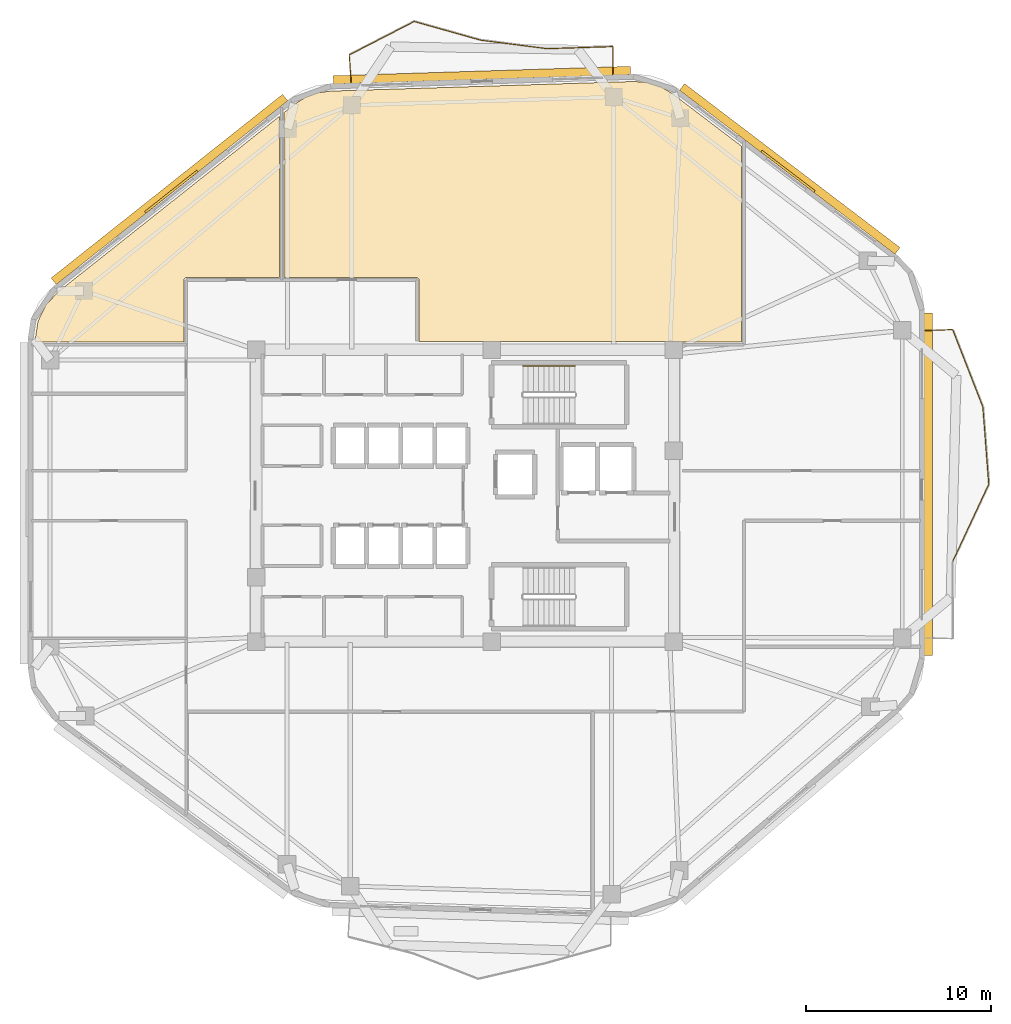
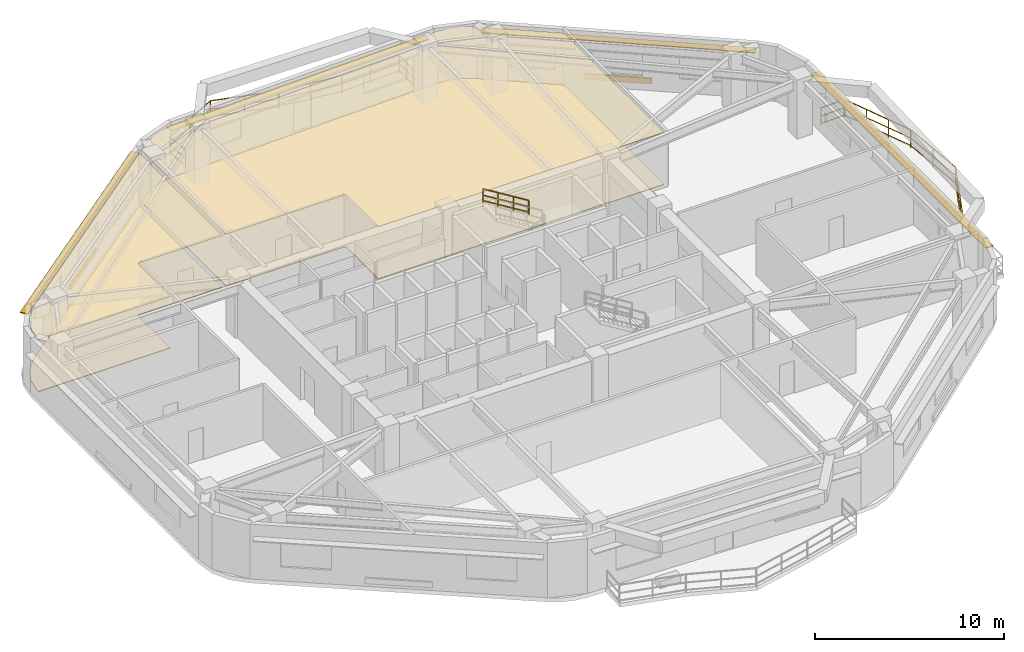
# One storey, part 8 of 8: 11 railings, 6 shading devices, 4 coverings.
"""IFC4 building model written with IfcOpenShell, lengths in metres."""

from ifc_helpers import new_model, si_unit, direction, frame, origin, origin_2d, place, context, subcontext, project, spatial, polyline, rectangle, outline, extrude, material, layer, layer_set, type_object, element, save


model = new_model("IFC4")

# Units and contexts
model_context = context("Model", 3, precision=1e-05, world=origin(), true_north=direction((0.0, 1.0)))
body_context = subcontext(model_context, "Body", "Model", "MODEL_VIEW")
ifc_project = project(units=[si_unit("LENGTHUNIT", "METRE"), si_unit("AREAUNIT", "SQUARE_METRE"), si_unit("VOLUMEUNIT", "CUBIC_METRE"), si_unit("PLANEANGLEUNIT", "RADIAN"), si_unit("MASSUNIT", "GRAM", prefix="KILO")], contexts=[model_context])

# Site, building, storey
site_placement = place(None, origin())
site = spatial("IfcSite", under=ifc_project, at=site_placement, CompositionType="ELEMENT")
building_placement = place(site_placement, origin())
building = spatial("IfcBuilding", under=site, at=building_placement, Name="Zulverin Broadcast Headquarters", CompositionType="ELEMENT")
storey_placement = place(building_placement, frame((0.0, 0.0, 163.0)))
storey = spatial("IfcBuildingStorey", under=building, at=storey_placement, Name="L41", CompositionType="ELEMENT", Elevation=163.0)

# Coverings
ifc_material_1 = material(Name="Perforated pale-metal acoustic baffle ceiling", Category="aluminium")
ifc_layer_1 = layer(ifc_material_1, 0.0400390625, Name="Perforated pale-metal acoustic baffle ceiling", Category="aluminium")
ifc_layer_set_1 = layer_set([ifc_layer_1], Name="Perforated pale-metal acoustic baffle ceiling")
covering_type_1 = type_object("IfcCoveringType", Name="COV-CEIL-ACOU", PredefinedType="CEILING", material=ifc_layer_set_1)
covering_1_placement = place(storey_placement, frame((0.0, 0.0, 3.360107421875)))
element("IfcCovering", 1, at=covering_1_placement, inside=storey, type_object=covering_type_1, Name="L41 Acoustic Baffle Ceiling 01", PredefinedType="CEILING", context=body_context, shape_type="SweptSolid", body=[
    extrude(outline(polyline([(21.951904296875, 36.971923828125), (26.97998046875, 36.971923828125), (26.97998046875, 45.679931640625), (15.031982421875, 36.199951171875), (14.364013671875, 35.47607421875), (13.947998046875, 34.615966796875), (13.800048828125, 33.64404296875), (13.800048828125, 33.5), (21.83203125, 33.5), (21.83203125, 36.85205078125), (21.83203125, 36.864013671875), (21.8359375, 36.8759765625), (21.8359375, 36.887939453125), (21.840087890625, 36.89599609375), (21.847900390625, 36.907958984375), (21.85205078125, 36.919921875), (21.860107421875, 36.927978515625), (21.867919921875, 36.93603515625), (21.8759765625, 36.944091796875), (21.884033203125, 36.951904296875), (21.89599609375, 36.9560546875), (21.907958984375, 36.964111328125), (21.916015625, 36.968017578125), (21.927978515625, 36.968017578125), (21.93994140625, 36.971923828125), (21.951904296875, 36.971923828125)])), origin(), (0.0, 0.0, 1.0), 0.039794921875),
])
covering_2_placement = place(storey_placement, frame((0.0, 0.0, 3.360107421875)))
element("IfcCovering", 2, at=covering_2_placement, inside=storey, type_object=covering_type_1, Name="L41 Acoustic Baffle Ceiling 02", PredefinedType="CEILING", context=body_context, shape_type="SweptSolid", body=[
    extrude(outline(polyline([(29.031982421875, 46.944091796875), (28.39599609375, 46.7080078125), (27.803955078125, 46.33203125), (27.219970703125, 45.867919921875), (27.219970703125, 36.971923828125), (34.360107421875, 36.971923828125), (34.3720703125, 36.971923828125), (34.384033203125, 36.968017578125), (34.39208984375, 36.968017578125), (34.39990234375, 36.964111328125), (34.407958984375, 36.964111328125), (34.419921875, 36.9599609375), (34.427978515625, 36.9560546875), (34.43603515625, 36.951904296875), (34.447998046875, 36.944091796875), (34.4599609375, 36.93603515625), (34.468017578125, 36.927978515625), (34.47607421875, 36.919921875), (34.48388671875, 36.912109375), (34.491943359375, 36.89990234375), (34.5, 36.887939453125), (34.50390625, 36.8798828125), (34.508056640625, 36.8720703125), (34.511962890625, 36.864013671875), (34.51611328125, 36.85205078125), (34.51611328125, 36.843994140625), (34.52001953125, 36.83203125), (34.52001953125, 36.820068359375), (34.52001953125, 33.52001953125), (48.568115234375, 33.52001953125), (48.580078125, 33.52001953125), (48.592041015625, 33.51611328125), (48.60009765625, 33.51611328125), (48.612060546875, 33.511962890625), (48.6201171875, 33.508056640625), (48.635986328125, 33.5), (51.927978515625, 33.5), (51.931884765625, 44.06005859375), (48.2080078125, 46.89208984375), (47.568115234375, 47.27587890625), (46.8759765625, 47.49609375), (46.1279296875, 47.56005859375), (44.10400390625, 47.49609375), (35.7041015625, 47.22802734375), (29.73193359375, 47.0400390625), (29.031982421875, 46.944091796875)])), origin(), (0.0, 0.0, 1.0), 0.039794921875),
])
ifc_material_2 = material(Name="Anti-static broadcast raised access flooring", Category="stone")
ifc_layer_2 = layer(ifc_material_2, 0.050048828125, Name="Anti-static broadcast raised access flooring", Category="stone")
ifc_layer_set_2 = layer_set([ifc_layer_2], Name="Anti-static broadcast raised access flooring")
covering_type_2 = type_object("IfcCoveringType", Name="COV-FLR-RAISED", PredefinedType="FLOORING", material=ifc_layer_set_2)
covering_3_placement = place(storey_placement, origin())
element("IfcCovering", 3, at=covering_3_placement, inside=storey, type_object=covering_type_2, Name="L41 Broadcast Raised Access Flooring 01", PredefinedType="FLOORING", context=body_context, shape_type="SweptSolid", body=[
    extrude(outline(polyline([(21.951904296875, 36.971923828125), (26.97998046875, 36.971923828125), (26.97998046875, 45.679931640625), (15.031982421875, 36.199951171875), (14.364013671875, 35.47607421875), (13.947998046875, 34.615966796875), (13.800048828125, 33.64404296875), (13.800048828125, 33.5), (21.83203125, 33.5), (21.83203125, 36.85205078125), (21.83203125, 36.864013671875), (21.8359375, 36.8759765625), (21.8359375, 36.887939453125), (21.840087890625, 36.89599609375), (21.847900390625, 36.907958984375), (21.85205078125, 36.919921875), (21.860107421875, 36.927978515625), (21.867919921875, 36.93603515625), (21.8759765625, 36.944091796875), (21.884033203125, 36.951904296875), (21.89599609375, 36.9560546875), (21.907958984375, 36.964111328125), (21.916015625, 36.968017578125), (21.927978515625, 36.968017578125), (21.93994140625, 36.971923828125), (21.951904296875, 36.971923828125)])), origin(), (0.0, 0.0, 1.0), 0.050048828125),
])
covering_4_placement = place(storey_placement, origin())
element("IfcCovering", 4, at=covering_4_placement, inside=storey, type_object=covering_type_2, Name="L41 Broadcast Raised Access Flooring 02", PredefinedType="FLOORING", context=body_context, shape_type="SweptSolid", body=[
    extrude(outline(polyline([(29.031982421875, 46.944091796875), (28.39599609375, 46.7080078125), (27.803955078125, 46.33203125), (27.219970703125, 45.867919921875), (27.219970703125, 36.971923828125), (34.360107421875, 36.971923828125), (34.3720703125, 36.971923828125), (34.384033203125, 36.968017578125), (34.39208984375, 36.968017578125), (34.39990234375, 36.964111328125), (34.407958984375, 36.964111328125), (34.419921875, 36.9599609375), (34.427978515625, 36.9560546875), (34.43603515625, 36.951904296875), (34.447998046875, 36.944091796875), (34.4599609375, 36.93603515625), (34.468017578125, 36.927978515625), (34.47607421875, 36.919921875), (34.48388671875, 36.912109375), (34.491943359375, 36.89990234375), (34.5, 36.887939453125), (34.50390625, 36.8798828125), (34.508056640625, 36.8720703125), (34.511962890625, 36.864013671875), (34.51611328125, 36.85205078125), (34.51611328125, 36.843994140625), (34.52001953125, 36.83203125), (34.52001953125, 36.820068359375), (34.52001953125, 33.52001953125), (48.568115234375, 33.52001953125), (48.580078125, 33.52001953125), (48.592041015625, 33.51611328125), (48.60009765625, 33.51611328125), (48.612060546875, 33.511962890625), (48.6201171875, 33.508056640625), (48.635986328125, 33.5), (51.927978515625, 33.5), (51.931884765625, 44.06005859375), (48.2080078125, 46.89208984375), (47.568115234375, 47.27587890625), (46.8759765625, 47.49609375), (46.1279296875, 47.56005859375), (44.10400390625, 47.49609375), (35.7041015625, 47.22802734375), (29.73193359375, 47.0400390625), (29.031982421875, 46.944091796875)])), origin(), (0.0, 0.0, 1.0), 0.050048828125),
])

# Railings
ifc_material_3 = material(Name="Brushed stainless steel & laminated glass balustrade", Category="steel")
railing_type_1 = type_object("IfcRailingType", Name="RL-GUARD-1150", PredefinedType="GUARDRAIL", material=ifc_material_3)
railing_1_placement = place(storey_placement, frame((63.326416015625, 21.658447265625, 0.0)))
element("IfcRailing", 5, at=railing_1_placement, inside=storey, type_object=railing_type_1, Name="L41 Vertical-Forest Balcony Guardrail BAL_E Segment 03", PredefinedType="GUARDRAIL", context=body_context, shape_type="SweptSolid", body=[
    extrude(rectangle(XDim=0.048095703125, YDim=0.048095703125, at=origin_2d()), frame((0.0, 0.0, 1.1259765625), z_axis=(0.423121903643, 0.906072764549, 0.0), x_axis=(-0.906072764549, 0.423121903643, 0.0)), (0.0, 0.0, 1.0), 4.578369140625),
    extrude(rectangle(XDim=0.0419921875, YDim=0.0419921875, at=origin_2d()), frame((0.0, 0.0, 0.597900390625), z_axis=(0.423121903643, 0.906072764549, 0.0), x_axis=(-0.906072764549, 0.423121903643, 0.0)), (0.0, 0.0, 1.0), 4.578369140625),
    extrude(rectangle(XDim=0.0419921875, YDim=0.0419921875, at=origin_2d()), frame((0.0, 0.0, 0.1201171875), z_axis=(0.423121903643, 0.906072764549, 0.0), x_axis=(-0.906072764549, 0.423121903643, 0.0)), (0.0, 0.0, 1.0), 4.578369140625),
    extrude(rectangle(XDim=0.0419921875, YDim=0.0419921875, at=origin_2d()), origin(), (0.0, 0.0, 1.0), 1.101806640625),
    extrude(rectangle(XDim=0.0419921875, YDim=0.0419921875, at=origin_2d()), frame((0.645751953125, 1.3828125, 0.0)), (0.0, 0.0, 1.0), 1.101806640625),
    extrude(rectangle(XDim=0.0419921875, YDim=0.0419921875, at=origin_2d()), frame((1.29150390625, 2.765625, 0.0)), (0.0, 0.0, 1.0), 1.101806640625),
    extrude(rectangle(XDim=0.0419921875, YDim=0.0419921875, at=origin_2d()), frame((1.937255859375, 4.1484375, 0.0)), (0.0, 0.0, 1.0), 1.101806640625),
])
railing_2_placement = place(storey_placement, frame((65.268798828125, 25.83544921875, 0.0)))
element("IfcRailing", 6, at=railing_2_placement, inside=storey, type_object=railing_type_1, Name="L41 Vertical-Forest Balcony Guardrail BAL_E Segment 04", PredefinedType="GUARDRAIL", context=body_context, shape_type="SweptSolid", body=[
    extrude(rectangle(XDim=0.048095703125, YDim=0.048095703125, at=origin_2d()), frame((0.0, 0.0, 1.1259765625), z_axis=(-0.076512392547, 0.99706863043, 0.0), x_axis=(-0.99706863043, -0.076512392547, 0.0)), (0.0, 0.0, 1.0), 4.15771484375),
    extrude(rectangle(XDim=0.0419921875, YDim=0.0419921875, at=origin_2d()), frame((0.0, 0.0, 0.597900390625), z_axis=(-0.076512392547, 0.99706863043, 0.0), x_axis=(-0.99706863043, -0.076512392547, 0.0)), (0.0, 0.0, 1.0), 4.15771484375),
    extrude(rectangle(XDim=0.0419921875, YDim=0.0419921875, at=origin_2d()), frame((0.0, 0.0, 0.1201171875), z_axis=(-0.076512392547, 0.99706863043, 0.0), x_axis=(-0.99706863043, -0.076512392547, 0.0)), (0.0, 0.0, 1.0), 4.15771484375),
    extrude(rectangle(XDim=0.0419921875, YDim=0.0419921875, at=origin_2d()), origin(), (0.0, 0.0, 1.0), 1.101806640625),
    extrude(rectangle(XDim=0.0419921875, YDim=0.0419921875, at=origin_2d()), frame((-0.1591796875, 2.07275390625, 0.0)), (0.0, 0.0, 1.0), 1.101806640625),
    extrude(rectangle(XDim=0.0419921875, YDim=0.0419921875, at=origin_2d()), frame((-0.318115234375, 4.1455078125, 0.0)), (0.0, 0.0, 1.0), 1.101806640625),
])
railing_3_placement = place(storey_placement, frame((64.944091796875, 30.010009765625, 0.0)))
element("IfcRailing", 7, at=railing_3_placement, inside=storey, type_object=railing_type_1, Name="L41 Vertical-Forest Balcony Guardrail BAL_E Segment 05", PredefinedType="GUARDRAIL", context=body_context, shape_type="SweptSolid", body=[
    extrude(rectangle(XDim=0.048095703125, YDim=0.048095703125, at=origin_2d()), frame((0.0, 0.0, 1.1259765625), z_axis=(-0.363568021292, 0.931567653954, 0.0), x_axis=(-0.931567653954, -0.363568021292, 0.0)), (0.0, 0.0, 1.0), 4.4521484375),
    extrude(rectangle(XDim=0.0419921875, YDim=0.0419921875, at=origin_2d()), frame((0.0, 0.0, 0.597900390625), z_axis=(-0.363568021292, 0.931567653954, 0.0), x_axis=(-0.931567653954, -0.363568021292, 0.0)), (0.0, 0.0, 1.0), 4.4521484375),
    extrude(rectangle(XDim=0.0419921875, YDim=0.0419921875, at=origin_2d()), frame((0.0, 0.0, 0.1201171875), z_axis=(-0.363568021292, 0.931567653954, 0.0), x_axis=(-0.931567653954, -0.363568021292, 0.0)), (0.0, 0.0, 1.0), 4.4521484375),
    extrude(rectangle(XDim=0.0419921875, YDim=0.0419921875, at=origin_2d()), origin(), (0.0, 0.0, 1.0), 1.101806640625),
    extrude(rectangle(XDim=0.0419921875, YDim=0.0419921875, at=origin_2d()), frame((-0.53955078125, 1.382568359375, 0.0)), (0.0, 0.0, 1.0), 1.101806640625),
    extrude(rectangle(XDim=0.0419921875, YDim=0.0419921875, at=origin_2d()), frame((-1.0791015625, 2.764892578125, 0.0)), (0.0, 0.0, 1.0), 1.101806640625),
    extrude(rectangle(XDim=0.0419921875, YDim=0.0419921875, at=origin_2d()), frame((-1.61865234375, 4.1474609375, 0.0)), (0.0, 0.0, 1.0), 1.101806640625),
])
railing_4_placement = place(storey_placement, frame((63.304931640625, 34.1708984375, 0.0)))
element("IfcRailing", 8, at=railing_4_placement, inside=storey, type_object=railing_type_1, Name="L41 Vertical-Forest Balcony Guardrail BAL_E Segment 06", PredefinedType="GUARDRAIL", context=body_context, shape_type="SweptSolid", body=[
    extrude(rectangle(XDim=0.048095703125, YDim=0.048095703125, at=origin_2d()), frame((0.0, 0.0, 1.1259765625), z_axis=(-0.99918088253, -0.040466825742, 0.0), x_axis=(0.040466825742, -0.99918088253, 0.0)), (0.0, 0.0, 1.0), 1.466064453125),
    extrude(rectangle(XDim=0.0419921875, YDim=0.0419921875, at=origin_2d()), frame((0.0, 0.0, 0.597900390625), z_axis=(-0.99918088253, -0.040466825742, 0.0), x_axis=(0.040466825742, -0.99918088253, 0.0)), (0.0, 0.0, 1.0), 1.466064453125),
    extrude(rectangle(XDim=0.0419921875, YDim=0.0419921875, at=origin_2d()), frame((0.0, 0.0, 0.1201171875), z_axis=(-0.99918088253, -0.040466825742, 0.0), x_axis=(0.040466825742, -0.99918088253, 0.0)), (0.0, 0.0, 1.0), 1.466064453125),
    extrude(rectangle(XDim=0.0419921875, YDim=0.0419921875, at=origin_2d()), origin(), (0.0, 0.0, 1.0), 1.101806640625),
    extrude(rectangle(XDim=0.0419921875, YDim=0.0419921875, at=origin_2d()), frame((-1.46484375, -0.059326171875, 0.0)), (0.0, 0.0, 1.0), 1.101806640625),
])
railing_5_placement = place(storey_placement, frame((44.978271484375, 47.962646484375, 0.0)))
element("IfcRailing", 9, at=railing_5_placement, inside=storey, type_object=railing_type_1, Name="L41 Vertical-Forest Balcony Guardrail BAL_N Segment 01", PredefinedType="GUARDRAIL", context=body_context, shape_type="SweptSolid", body=[
    extrude(rectangle(XDim=0.048095703125, YDim=0.048095703125, at=origin_2d()), frame((0.0, 0.0, 1.1259765625), z_axis=(0.008825634609, 0.999961053328, 0.0), x_axis=(-0.999961053328, 0.008825634609, 0.0)), (0.0, 0.0, 1.0), 1.466064453125),
    extrude(rectangle(XDim=0.0419921875, YDim=0.0419921875, at=origin_2d()), frame((0.0, 0.0, 0.597900390625), z_axis=(0.008825634609, 0.999961053328, 0.0), x_axis=(-0.999961053328, 0.008825634609, 0.0)), (0.0, 0.0, 1.0), 1.466064453125),
    extrude(rectangle(XDim=0.0419921875, YDim=0.0419921875, at=origin_2d()), frame((0.0, 0.0, 0.1201171875), z_axis=(0.008825634609, 0.999961053328, 0.0), x_axis=(-0.999961053328, 0.008825634609, 0.0)), (0.0, 0.0, 1.0), 1.466064453125),
    extrude(rectangle(XDim=0.0419921875, YDim=0.0419921875, at=origin_2d()), origin(), (0.0, 0.0, 1.0), 1.101806640625),
    extrude(rectangle(XDim=0.0419921875, YDim=0.0419921875, at=origin_2d()), frame((0.012939453125, 1.466064453125, 0.0)), (0.0, 0.0, 1.0), 1.101806640625),
])
railing_6_placement = place(storey_placement, frame((44.976318359375, 49.443359375, 0.0)))
element("IfcRailing", 10, at=railing_6_placement, inside=storey, type_object=railing_type_1, Name="L41 Vertical-Forest Balcony Guardrail BAL_N Segment 02", PredefinedType="GUARDRAIL", context=body_context, shape_type="SweptSolid", body=[
    extrude(rectangle(XDim=0.048095703125, YDim=0.048095703125, at=origin_2d()), frame((0.0, 0.0, 1.1259765625), z_axis=(-0.999496927381, -0.03171580295, 0.0), x_axis=(0.03171580295, -0.999496927381, 0.0)), (0.0, 0.0, 1.0), 3.533203125),
    extrude(rectangle(XDim=0.0419921875, YDim=0.0419921875, at=origin_2d()), frame((0.0, 0.0, 0.597900390625), z_axis=(-0.999496927381, -0.03171580295, 0.0), x_axis=(0.03171580295, -0.999496927381, 0.0)), (0.0, 0.0, 1.0), 3.533203125),
    extrude(rectangle(XDim=0.0419921875, YDim=0.0419921875, at=origin_2d()), frame((0.0, 0.0, 0.1201171875), z_axis=(-0.999496927381, -0.03171580295, 0.0), x_axis=(0.03171580295, -0.999496927381, 0.0)), (0.0, 0.0, 1.0), 3.533203125),
    extrude(rectangle(XDim=0.0419921875, YDim=0.0419921875, at=origin_2d()), origin(), (0.0, 0.0, 1.0), 1.101806640625),
    extrude(rectangle(XDim=0.0419921875, YDim=0.0419921875, at=origin_2d()), frame((-1.765625, -0.05615234375, 0.0)), (0.0, 0.0, 1.0), 1.101806640625),
    extrude(rectangle(XDim=0.0419921875, YDim=0.0419921875, at=origin_2d()), frame((-3.531494140625, -0.112060546875, 0.0)), (0.0, 0.0, 1.0), 1.101806640625),
])
railing_7_placement = place(storey_placement, frame((41.4150390625, 49.332763671875, 0.0)))
element("IfcRailing", 11, at=railing_7_placement, inside=storey, type_object=railing_type_1, Name="L41 Vertical-Forest Balcony Guardrail BAL_N Segment 03", PredefinedType="GUARDRAIL", context=body_context, shape_type="SweptSolid", body=[
    extrude(rectangle(XDim=0.048095703125, YDim=0.048095703125, at=origin_2d()), frame((0.0, 0.0, 1.1259765625), z_axis=(-0.991958712042, 0.126561896337, 0.0), x_axis=(-0.126561896337, -0.991958712042, 0.0)), (0.0, 0.0, 1.0), 3.578369140625),
    extrude(rectangle(XDim=0.0419921875, YDim=0.0419921875, at=origin_2d()), frame((0.0, 0.0, 0.597900390625), z_axis=(-0.991958712042, 0.126561896337, 0.0), x_axis=(-0.126561896337, -0.991958712042, 0.0)), (0.0, 0.0, 1.0), 3.578369140625),
    extrude(rectangle(XDim=0.0419921875, YDim=0.0419921875, at=origin_2d()), frame((0.0, 0.0, 0.1201171875), z_axis=(-0.991958712042, 0.126561896337, 0.0), x_axis=(-0.126561896337, -0.991958712042, 0.0)), (0.0, 0.0, 1.0), 3.578369140625),
    extrude(rectangle(XDim=0.0419921875, YDim=0.0419921875, at=origin_2d()), origin(), (0.0, 0.0, 1.0), 1.101806640625),
    extrude(rectangle(XDim=0.0419921875, YDim=0.0419921875, at=origin_2d()), frame((-1.77490234375, 0.2265625, 0.0)), (0.0, 0.0, 1.0), 1.101806640625),
    extrude(rectangle(XDim=0.0419921875, YDim=0.0419921875, at=origin_2d()), frame((-3.549560546875, 0.452880859375, 0.0)), (0.0, 0.0, 1.0), 1.101806640625),
])
railing_8_placement = place(storey_placement, frame((37.836181640625, 49.791748046875, 0.0)))
element("IfcRailing", 12, at=railing_8_placement, inside=storey, type_object=railing_type_1, Name="L41 Vertical-Forest Balcony Guardrail BAL_N Segment 04", PredefinedType="GUARDRAIL", context=body_context, shape_type="SweptSolid", body=[
    extrude(rectangle(XDim=0.048095703125, YDim=0.048095703125, at=origin_2d()), frame((0.0, 0.0, 1.1259765625), z_axis=(-0.962715289952, 0.270516673223, 0.0), x_axis=(-0.270516673223, -0.962715289952, 0.0)), (0.0, 0.0, 1.0), 3.70654296875),
    extrude(rectangle(XDim=0.0419921875, YDim=0.0419921875, at=origin_2d()), frame((0.0, 0.0, 0.597900390625), z_axis=(-0.962715289952, 0.270516673223, 0.0), x_axis=(-0.270516673223, -0.962715289952, 0.0)), (0.0, 0.0, 1.0), 3.70654296875),
    extrude(rectangle(XDim=0.0419921875, YDim=0.0419921875, at=origin_2d()), frame((0.0, 0.0, 0.1201171875), z_axis=(-0.962715289952, 0.270516673223, 0.0), x_axis=(-0.270516673223, -0.962715289952, 0.0)), (0.0, 0.0, 1.0), 3.70654296875),
    extrude(rectangle(XDim=0.0419921875, YDim=0.0419921875, at=origin_2d()), origin(), (0.0, 0.0, 1.0), 1.101806640625),
    extrude(rectangle(XDim=0.0419921875, YDim=0.0419921875, at=origin_2d()), frame((-1.7841796875, 0.50146484375, 0.0)), (0.0, 0.0, 1.0), 1.101806640625),
    extrude(rectangle(XDim=0.0419921875, YDim=0.0419921875, at=origin_2d()), frame((-3.568359375, 1.002685546875, 0.0)), (0.0, 0.0, 1.0), 1.101806640625),
])
railing_9_placement = place(storey_placement, frame((34.240234375, 50.79150390625, 0.0)))
element("IfcRailing", 13, at=railing_9_placement, inside=storey, type_object=railing_type_1, Name="L41 Vertical-Forest Balcony Guardrail BAL_N Segment 05", PredefinedType="GUARDRAIL", context=body_context, shape_type="SweptSolid", body=[
    extrude(rectangle(XDim=0.048095703125, YDim=0.048095703125, at=origin_2d()), frame((0.0, 0.0, 1.1259765625), z_axis=(-0.889026089134, -0.457856541767, 0.0), x_axis=(0.457856541767, -0.889026089134, 0.0)), (0.0, 0.0, 1.0), 3.91552734375),
    extrude(rectangle(XDim=0.0419921875, YDim=0.0419921875, at=origin_2d()), frame((0.0, 0.0, 0.597900390625), z_axis=(-0.889026089134, -0.457856541767, 0.0), x_axis=(0.457856541767, -0.889026089134, 0.0)), (0.0, 0.0, 1.0), 3.91552734375),
    extrude(rectangle(XDim=0.0419921875, YDim=0.0419921875, at=origin_2d()), frame((0.0, 0.0, 0.1201171875), z_axis=(-0.889026089134, -0.457856541767, 0.0), x_axis=(0.457856541767, -0.889026089134, 0.0)), (0.0, 0.0, 1.0), 3.91552734375),
    extrude(rectangle(XDim=0.0419921875, YDim=0.0419921875, at=origin_2d()), origin(), (0.0, 0.0, 1.0), 1.101806640625),
    extrude(rectangle(XDim=0.0419921875, YDim=0.0419921875, at=origin_2d()), frame((-1.740478515625, -0.896484375, 0.0)), (0.0, 0.0, 1.0), 1.101806640625),
    extrude(rectangle(XDim=0.0419921875, YDim=0.0419921875, at=origin_2d()), frame((-3.48095703125, -1.792724609375, 0.0)), (0.0, 0.0, 1.0), 1.101806640625),
])
railing_10_placement = place(storey_placement, frame((30.7470703125, 48.976806640625, 0.0)))
element("IfcRailing", 14, at=railing_10_placement, inside=storey, type_object=railing_type_1, Name="L41 Vertical-Forest Balcony Guardrail BAL_N Segment 06", PredefinedType="GUARDRAIL", context=body_context, shape_type="SweptSolid", body=[
    extrude(rectangle(XDim=0.048095703125, YDim=0.048095703125, at=origin_2d()), frame((0.0, 0.0, 1.1259765625), z_axis=(0.072110992432, -0.997396613575, 0.0), x_axis=(0.997396613575, 0.072110992432, 0.0)), (0.0, 0.0, 1.0), 1.466064453125),
    extrude(rectangle(XDim=0.0419921875, YDim=0.0419921875, at=origin_2d()), frame((0.0, 0.0, 0.597900390625), z_axis=(0.072110992432, -0.997396613575, 0.0), x_axis=(0.997396613575, 0.072110992432, 0.0)), (0.0, 0.0, 1.0), 1.466064453125),
    extrude(rectangle(XDim=0.0419921875, YDim=0.0419921875, at=origin_2d()), frame((0.0, 0.0, 0.1201171875), z_axis=(0.072110992432, -0.997396613575, 0.0), x_axis=(0.997396613575, 0.072110992432, 0.0)), (0.0, 0.0, 1.0), 1.466064453125),
    extrude(rectangle(XDim=0.0419921875, YDim=0.0419921875, at=origin_2d()), origin(), (0.0, 0.0, 1.0), 1.101806640625),
    extrude(rectangle(XDim=0.0419921875, YDim=0.0419921875, at=origin_2d()), frame((0.105712890625, -1.462158203125, 0.0)), (0.0, 0.0, 1.0), 1.101806640625),
])
ifc_material_4 = material(Name="Brushed stainless steel 48 mm handrail", Category="steel")
railing_type_2 = type_object("IfcRailingType", Name="RL-ST-HAND", PredefinedType="HANDRAIL", material=ifc_material_4)
railing_11_placement = place(storey_placement, frame((42.929931640625, 32.199951171875, 2.07275390625)))
element("IfcRailing", 15, at=railing_11_placement, inside=storey, type_object=railing_type_2, Name="L41 ST-1 stair handrail 2", PredefinedType="HANDRAIL", context=body_context, shape_type="SweptSolid", body=[
    extrude(rectangle(XDim=0.048095703125, YDim=0.048095703125, at=origin_2d()), frame((0.0, 0.0, 0.8759765625), z_axis=(-0.851089632645, 0.0, 0.525020415988), x_axis=(0.0, -1.0, 0.0)), (0.0, 0.0, 1.0), 3.2900390625),
    extrude(rectangle(XDim=0.0419921875, YDim=0.0419921875, at=origin_2d()), frame((0.0, 0.0, 0.468017578125), z_axis=(-0.851089632645, 0.0, 0.525020415988), x_axis=(0.0, -1.0, 0.0)), (0.0, 0.0, 1.0), 3.2900390625),
    extrude(rectangle(XDim=0.0419921875, YDim=0.0419921875, at=origin_2d()), frame((0.0, 0.0, 0.1201171875), z_axis=(-0.851089632645, 0.0, 0.525020415988), x_axis=(0.0, -1.0, 0.0)), (0.0, 0.0, 1.0), 3.2900390625),
    extrude(rectangle(XDim=0.0419921875, YDim=0.0419921875, at=origin_2d()), origin(), (0.0, 0.0, 1.0), 0.851806640625),
    extrude(rectangle(XDim=0.0419921875, YDim=0.0419921875, at=origin_2d()), frame((-0.933349609375, 0.0, 0.57568359375)), (0.0, 0.0, 1.0), 0.851806640625),
    extrude(rectangle(XDim=0.0419921875, YDim=0.0419921875, at=origin_2d()), frame((-1.86669921875, 0.0, 1.151611328125)), (0.0, 0.0, 1.0), 0.851806640625),
    extrude(rectangle(XDim=0.0419921875, YDim=0.0419921875, at=origin_2d()), frame((-2.800048828125, 0.0, 1.727294921875)), (0.0, 0.0, 1.0), 0.851806640625),
])

# Shading devices
ifc_material_5 = material(Name="Anodized pale-metal aluminium acoustic louvre", Category="aluminium")
shading_device_type_1 = type_object("IfcShadingDeviceType", Name="SHD-LOUVRE-350", PredefinedType="USERDEFINED", material=ifc_material_5)
for number, where, z_axis, x_axis, name in (
    (16, (54.4306640625, 42.713134765625, 0.244873046875), (0.0, 0.0, 1.0), (-0.795836111996, 0.605512083152, 0.0), "L41 Spandrel Intake Louvre 4"),
    (17, (21.1416015625, 41.607421875, 0.244873046875), (0.0, 0.0, 1.0), (-0.783270473924, -0.621681079556, 0.0), "L41 Spandrel Intake Louvre 6"),
):
    element("IfcShadingDevice", number, at=place(storey_placement, frame(where, z_axis=z_axis, x_axis=x_axis)), inside=storey, type_object=shading_device_type_1, Name=name, ObjectType="LOUVRE", PredefinedType="USERDEFINED", context=body_context, shape_type="SweptSolid", body=[
        extrude(rectangle(XDim=3.60009765625, YDim=0.1201171875, at=origin_2d()), origin(), (0.0, 0.0, 1.0), 0.35009765625),
    ])
ifc_material_6 = material(Name="Anodized pale-metal aluminium sunshade", Category="aluminium")
ifc_layer_3 = layer(ifc_material_6, 0.06005859375, Name="Anodized pale-metal aluminium sunshade", Category="aluminium")
ifc_layer_set_3 = layer_set([ifc_layer_3], Name="Anodized pale-metal aluminium sunshade")
shading_device_type_2 = type_object("IfcShadingDeviceType", Name="SS-01_PALE_METAL_ALUMINIUM_SUNSHADE", PredefinedType="USERDEFINED", material=ifc_layer_set_3)
shading_device_1_placement = place(storey_placement, frame((62.0, 25.8203125, 2.7099609375), z_axis=(0.0, 0.0, 1.0), x_axis=(0.0, 1.0, 0.0)))
element("IfcShadingDevice", 18, at=shading_device_1_placement, inside=storey, type_object=shading_device_type_2, Name="L41 Horizontal Pale-Metal Sunshade Band 3", ObjectType="SUNSHADE", PredefinedType="USERDEFINED", context=body_context, shape_type="SweptSolid", body=[
    extrude(rectangle(XDim=18.502197265625, YDim=0.449951171875, at=origin_2d()), origin(), (0.0, 0.0, 1.0), 0.06005859375),
])
shading_device_2_placement = place(storey_placement, frame((54.527587890625, 42.840576171875, 2.7099609375), z_axis=(0.0, 0.0, 1.0), x_axis=(-0.795836111996, 0.605512083152, 0.0)))
element("IfcShadingDevice", 19, at=shading_device_2_placement, inside=storey, type_object=shading_device_type_2, Name="L41 Horizontal Pale-Metal Sunshade Band 4", ObjectType="SUNSHADE", PredefinedType="USERDEFINED", context=body_context, shape_type="SweptSolid", body=[
    extrude(rectangle(XDim=14.61181640625, YDim=0.449951171875, at=origin_2d()), origin(), (0.0, 0.0, 1.0), 0.06005859375),
])
shading_device_3_placement = place(storey_placement, frame((37.910400390625, 47.8984375, 2.7099609375), z_axis=(0.0, 0.0, 1.0), x_axis=(-0.999497141269, -0.031709061709, 0.0)))
element("IfcShadingDevice", 20, at=shading_device_3_placement, inside=storey, type_object=shading_device_type_2, Name="L41 Horizontal Pale-Metal Sunshade Band 5", ObjectType="SUNSHADE", PredefinedType="USERDEFINED", context=body_context, shape_type="SweptSolid", body=[
    extrude(rectangle(XDim=16.052490234375, YDim=0.449951171875, at=origin_2d()), origin(), (0.0, 0.0, 1.0), 0.06005859375),
])
shading_device_4_placement = place(storey_placement, frame((21.0419921875, 41.73291015625, 2.7099609375), z_axis=(0.0, 0.0, 1.0), x_axis=(-0.783270473924, -0.621681079556, 0.0)))
element("IfcShadingDevice", 21, at=shading_device_4_placement, inside=storey, type_object=shading_device_type_2, Name="L41 Horizontal Pale-Metal Sunshade Band 6", ObjectType="SUNSHADE", PredefinedType="USERDEFINED", context=body_context, shape_type="SweptSolid", body=[
    extrude(rectangle(XDim=15.953125, YDim=0.449951171875, at=origin_2d()), origin(), (0.0, 0.0, 1.0), 0.06005859375),
])

save(model, "model.ifc")
